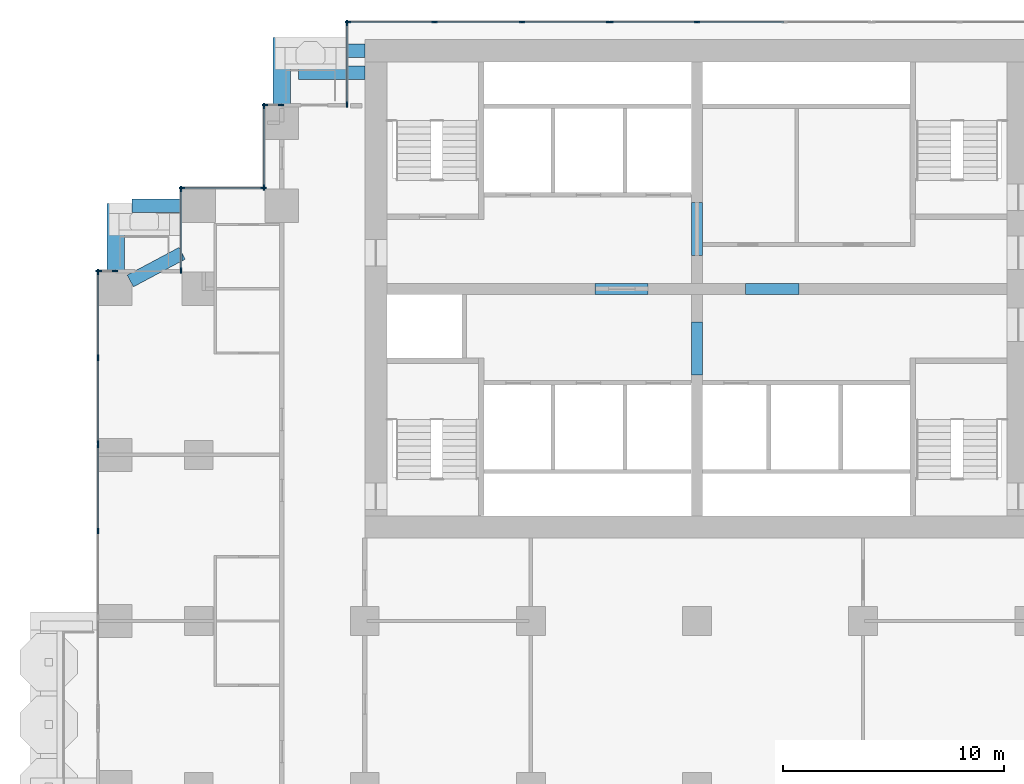
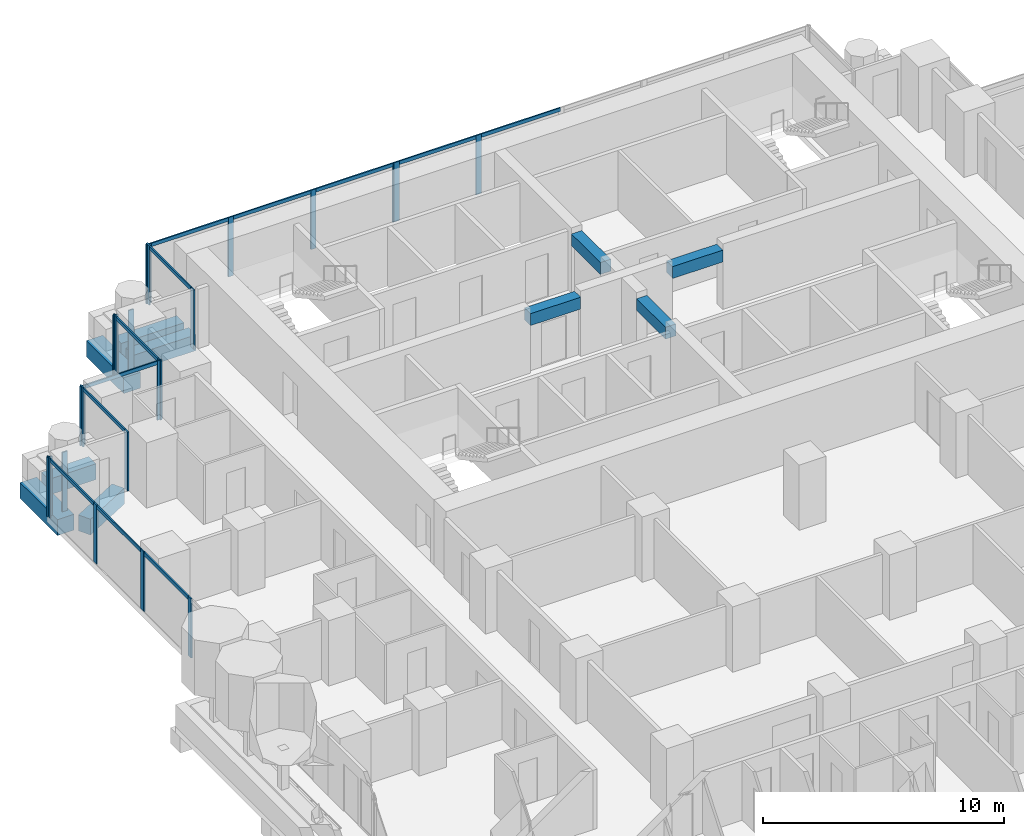
# One storey, part 5 of 20: 35 members, 10 beams, 10 elements without a shape of their own.
"""IFC4 building model written with IfcOpenShell, lengths in metres."""

from ifc_helpers import new_model, si_unit, direction, frame, origin, origin_2d, place, context, subcontext, project, spatial, rectangle, extrude, material, material_profile, profile_set, type_object, element, aggregate, save


model = new_model("IFC4")

# Units and contexts
model_context = context("Model", 3, precision=1e-05, world=origin(), true_north=direction((0.0, 1.0)))
body_context = subcontext(model_context, "Body", "Model", "MODEL_VIEW")
ifc_project = project(units=[si_unit("LENGTHUNIT", "METRE"), si_unit("AREAUNIT", "SQUARE_METRE"), si_unit("VOLUMEUNIT", "CUBIC_METRE"), si_unit("PLANEANGLEUNIT", "RADIAN"), si_unit("MASSUNIT", "GRAM", prefix="KILO")], contexts=[model_context])

# Site, building, storey
site_placement = place(None, origin())
site = spatial("IfcSite", under=ifc_project, at=site_placement, CompositionType="ELEMENT")
building_placement = place(site_placement, origin())
building = spatial("IfcBuilding", under=site, at=building_placement, Name="Pilkhan Gate Tower", CompositionType="ELEMENT")
storey_placement = place(building_placement, frame((0.0, 0.0, 92.300048828125)))
storey = spatial("IfcBuildingStorey", under=building, at=storey_placement, Name="L22", CompositionType="ELEMENT", Elevation=92.300048828125)

# Beams
ifc_material_1 = material(Name="Concrete C50/60", Category="concrete")
ifc_material_profile_1 = material_profile(ifc_material_1, rectangle(XDim=0.60009765625, YDim=0.800048828125, at=origin_2d()), Name="RC 600x800")
ifc_profile_set_1 = profile_set([ifc_material_profile_1], Name="Concrete C50/60")
beam_type_1 = type_object("IfcBeamType", Name="Cantilever beam CB1 RC 600x800 C50/60", PredefinedType="BEAM", material=ifc_profile_set_1)
for number, where, z_axis, x_axis, name in (
    (1, (60.0, 93.25, -0.699951171875), (-1.0, 0.0, 0.0), (0.0, -1.0, 0.0), "Balcony beam NW.2 L22"),
    (2, (60.0, 92.25, -0.699951171875), (-1.0, 0.0, 0.0), (0.0, -1.0, 0.0), "Balcony beam NW.3 L22"),
):
    element("IfcBeam", number, at=place(storey_placement, frame(where, z_axis=z_axis, x_axis=x_axis)), inside=storey, type_object=beam_type_1, Name=name, PredefinedType="BEAM", context=body_context, shape_type="SweptSolid", body=[
        extrude(rectangle(XDim=0.60009765625, YDim=0.800048828125, at=origin_2d()), origin(), (0.0, 0.0, 1.0), 3.0),
    ])
beam_1_placement = place(storey_placement, frame((51.75, 86.25, -0.699951171875), z_axis=(-1.0, 0.0, 0.0), x_axis=(0.0, -1.0, 0.0)))
element("IfcBeam", 3, at=beam_1_placement, inside=storey, type_object=beam_type_1, Name="Balcony beam NW2.2 L22", PredefinedType="BEAM", context=body_context, shape_type="SweptSolid", body=[
    extrude(rectangle(XDim=0.60009765625, YDim=0.800048828125, at=origin_2d()), origin(), (0.0, 0.0, 1.0), 2.25),
])
beam_2_placement = place(storey_placement, frame((49.411865234375, 82.85302734375, -0.699951171875), z_axis=(0.882342739565, 0.470607362817, 0.0), x_axis=(-0.470607362817, 0.882342739565, 0.0)))
element("IfcBeam", 4, at=beam_2_placement, inside=storey, type_object=beam_type_1, Name="Balcony beam NW2.3 L22", PredefinedType="BEAM", context=body_context, shape_type="SweptSolid", body=[
    extrude(rectangle(XDim=0.60009765625, YDim=0.800048828125, at=origin_2d()), origin(), (0.0, 0.0, 1.0), 2.64990234375),
])
ifc_material_profile_2 = material_profile(ifc_material_1, rectangle(XDim=0.800048828125, YDim=0.800048828125, at=origin_2d()), Name="RC 800x800")
ifc_profile_set_2 = profile_set([ifc_material_profile_2], Name="Concrete C50/60")
beam_type_2 = type_object("IfcBeamType", Name="Cantilever beam CB2 RC 800x800 C50/60", PredefinedType="BEAM", material=ifc_profile_set_2)
for number, where, z_axis, x_axis, name in (
    (5, (56.25, 90.75, -0.699951171875), (0.0, 1.0, 0.0), (-1.0, 0.0, 0.0), "Balcony beam NW.1 L22"),
    (6, (48.75, 83.25, -0.699951171875), (0.0, 1.0, 0.0), (-1.0, 0.0, 0.0), "Balcony beam NW2.1 L22"),
):
    element("IfcBeam", number, at=place(storey_placement, frame(where, z_axis=z_axis, x_axis=x_axis)), inside=storey, type_object=beam_type_2, Name=name, PredefinedType="BEAM", context=body_context, shape_type="SweptSolid", body=[
        extrude(rectangle(XDim=0.800048828125, YDim=0.800048828125, at=origin_2d()), origin(), (0.0, 0.0, 1.0), 3.10009765625),
    ])
ifc_material_2 = material(Name="Concrete C70/85", Category="concrete")
ifc_material_profile_3 = material_profile(ifc_material_2, rectangle(XDim=0.5, YDim=0.60009765625, at=origin_2d()), Name="RC 500x600")
ifc_profile_set_3 = profile_set([ifc_material_profile_3], Name="Concrete C70/85")
beam_type_3 = type_object("IfcBeamType", Name="Coupling beam CB60 RC 500x600 C70/85", PredefinedType="LINTEL", material=ifc_profile_set_3)
for number, where, z_axis, x_axis, name in (
    (7, (70.39990234375, 82.5, 2.699951171875), (1.0, 0.0, 0.0), (0.0, 1.0, 0.0), "Coupling beam 1 L22"),
    (8, (77.199951171875, 82.5, 2.699951171875), (1.0, 0.0, 0.0), (0.0, 1.0, 0.0), "Coupling beam 2 L22"),
):
    element("IfcBeam", number, at=place(storey_placement, frame(where, z_axis=z_axis, x_axis=x_axis)), inside=storey, type_object=beam_type_3, Name=name, PredefinedType="LINTEL", context=body_context, shape_type="SweptSolid", body=[
        extrude(rectangle(XDim=0.5, YDim=0.60009765625, at=origin_2d()), origin(), (0.0, 0.0, 1.0), 2.400146484375),
    ])
for number, where, z_axis, x_axis, name in (
    (9, (75.0, 78.60009765625, 2.699951171875), (0.0, 1.0, 0.0), (-1.0, 0.0, 0.0), "Coupling beam 3 L22"),
    (10, (75.0, 84.0, 2.699951171875), (0.0, 1.0, 0.0), (-1.0, 0.0, 0.0), "Coupling beam 4 L22"),
):
    element("IfcBeam", number, at=place(storey_placement, frame(where, z_axis=z_axis, x_axis=x_axis)), inside=storey, type_object=beam_type_3, Name=name, PredefinedType="LINTEL", context=body_context, shape_type="SweptSolid", body=[
        extrude(rectangle(XDim=0.5, YDim=0.60009765625, at=origin_2d()), origin(), (0.0, 0.0, 1.0), 2.39990234375),
    ])

# Curtain wall, members
ifc_material_3 = material(Name="Pale anodised aluminium, clear low-iron double glazing", Category="aluminium")
curtain_wall_type = type_object("IfcCurtainWallType", Name="Hotel unitised curtain wall CW-H", PredefinedType="USERDEFINED", material=ifc_material_3)
curtain_wall_1_placement = place(storey_placement, origin())
curtain_wall_1 = element("IfcCurtainWall", 11, at=curtain_wall_1_placement, inside=storey, type_object=curtain_wall_type, Name="Hotel unitised curtain wall CW-H L22 N", ObjectType="UNITISED CURTAIN WALL", PredefinedType="USERDEFINED")
ifc_material_4 = material(Name="Pale anodised aluminium", Category="aluminium")
ifc_material_profile_4 = material_profile(ifc_material_4, rectangle(XDim=0.06494140625, YDim=0.25, at=origin_2d()), Name="Mullion 250x65")
ifc_profile_set_4 = profile_set([ifc_material_profile_4], Name="Pale anodised aluminium")
member_type_1 = type_object("IfcMemberType", Name="Mullion CW-H 250x65", PredefinedType="MULLION", material=ifc_profile_set_4)
member_1_placement = place(storey_placement, frame((59.237548828125, 94.544921875, 0.0), z_axis=(0.0, 0.0, 1.0), x_axis=(0.0, 1.0, 0.0)))
member_1 = element("IfcMember", 12, at=member_1_placement, type_object=member_type_1, Name="CW-H mullion 1", PredefinedType="MULLION", context=body_context, shape_type="SweptSolid", body=[
    extrude(rectangle(XDim=0.06494140625, YDim=0.25, at=origin_2d()), origin(), (0.0, 0.0, 1.0), 3.0),
])
member_2_placement = place(storey_placement, frame((63.15380859375, 94.544921875, 0.0), z_axis=(0.0, 0.0, 1.0), x_axis=(0.0, 1.0, 0.0)))
member_2 = element("IfcMember", 13, at=member_2_placement, type_object=member_type_1, Name="CW-H mullion 2", PredefinedType="MULLION", context=body_context, shape_type="SweptSolid", body=[
    extrude(rectangle(XDim=0.06494140625, YDim=0.25, at=origin_2d()), origin(), (0.0, 0.0, 1.0), 3.0),
])
member_3_placement = place(storey_placement, frame((67.1025390625, 94.544921875, 0.0), z_axis=(0.0, 0.0, 1.0), x_axis=(0.0, 1.0, 0.0)))
member_3 = element("IfcMember", 14, at=member_3_placement, type_object=member_type_1, Name="CW-H mullion 3", PredefinedType="MULLION", context=body_context, shape_type="SweptSolid", body=[
    extrude(rectangle(XDim=0.06494140625, YDim=0.25, at=origin_2d()), origin(), (0.0, 0.0, 1.0), 3.0),
])
member_4_placement = place(storey_placement, frame((71.018798828125, 94.544921875, 0.0), z_axis=(0.0, 0.0, 1.0), x_axis=(0.0, 1.0, 0.0)))
member_4 = element("IfcMember", 15, at=member_4_placement, type_object=member_type_1, Name="CW-H mullion 4", PredefinedType="MULLION", context=body_context, shape_type="SweptSolid", body=[
    extrude(rectangle(XDim=0.06494140625, YDim=0.25, at=origin_2d()), origin(), (0.0, 0.0, 1.0), 3.0),
])

curtain_wall_2_placement = place(storey_placement, origin())
curtain_wall_2 = element("IfcCurtainWall", 16, at=curtain_wall_2_placement, inside=storey, type_object=curtain_wall_type, Name="Hotel unitised curtain wall CW-H L22 N", ObjectType="UNITISED CURTAIN WALL", PredefinedType="USERDEFINED")
member_5_placement = place(storey_placement, frame((71.083740234375, 94.544921875, 0.0), z_axis=(0.0, 0.0, 1.0), x_axis=(0.0, 1.0, 0.0)))
member_5 = element("IfcMember", 17, at=member_5_placement, type_object=member_type_1, Name="CW-H mullion 1", PredefinedType="MULLION", context=body_context, shape_type="SweptSolid", body=[
    extrude(rectangle(XDim=0.06494140625, YDim=0.25, at=origin_2d()), origin(), (0.0, 0.0, 1.0), 3.0),
])
member_6_placement = place(storey_placement, frame((75.0, 94.544921875, 0.0), z_axis=(0.0, 0.0, 1.0), x_axis=(0.0, 1.0, 0.0)))
member_6 = element("IfcMember", 18, at=member_6_placement, type_object=member_type_1, Name="CW-H mullion 2", PredefinedType="MULLION", context=body_context, shape_type="SweptSolid", body=[
    extrude(rectangle(XDim=0.06494140625, YDim=0.25, at=origin_2d()), origin(), (0.0, 0.0, 1.0), 3.0),
])

curtain_wall_3_placement = place(storey_placement, origin())
curtain_wall_3 = element("IfcCurtainWall", 19, at=curtain_wall_3_placement, inside=storey, type_object=curtain_wall_type, Name="Hotel unitised curtain wall CW-H L22 W", ObjectType="UNITISED CURTAIN WALL", PredefinedType="USERDEFINED")
member_7_placement = place(storey_placement, frame((59.205078125, 90.827392578125, 0.0), z_axis=(0.0, 0.0, 1.0), x_axis=(-1.0, 0.0, 0.0)))
member_7 = element("IfcMember", 20, at=member_7_placement, type_object=member_type_1, Name="CW-H mullion 1", PredefinedType="MULLION", context=body_context, shape_type="SweptSolid", body=[
    extrude(rectangle(XDim=0.06494140625, YDim=0.25, at=origin_2d()), origin(), (0.0, 0.0, 1.0), 3.0),
])
member_8_placement = place(storey_placement, frame((59.205078125, 94.512451171875, 0.0), z_axis=(0.0, 0.0, 1.0), x_axis=(-1.0, 0.0, 0.0)))
member_8 = element("IfcMember", 21, at=member_8_placement, type_object=member_type_1, Name="CW-H mullion 2", PredefinedType="MULLION", context=body_context, shape_type="SweptSolid", body=[
    extrude(rectangle(XDim=0.06494140625, YDim=0.25, at=origin_2d()), origin(), (0.0, 0.0, 1.0), 3.0),
])

curtain_wall_4_placement = place(storey_placement, origin())
curtain_wall_4 = element("IfcCurtainWall", 22, at=curtain_wall_4_placement, inside=storey, type_object=curtain_wall_type, Name="Hotel unitised curtain wall CW-H L22 N", ObjectType="UNITISED CURTAIN WALL", PredefinedType="USERDEFINED")
member_9_placement = place(storey_placement, frame((55.487548828125, 90.794921875, 0.0), z_axis=(0.0, 0.0, 1.0), x_axis=(0.0, 1.0, 0.0)))
member_9 = element("IfcMember", 23, at=member_9_placement, type_object=member_type_1, Name="CW-H mullion 1", PredefinedType="MULLION", context=body_context, shape_type="SweptSolid", body=[
    extrude(rectangle(XDim=0.06494140625, YDim=0.25, at=origin_2d()), origin(), (0.0, 0.0, 1.0), 3.0),
])
member_10_placement = place(storey_placement, frame((56.217529296875, 90.794921875, 0.0), z_axis=(0.0, 0.0, 1.0), x_axis=(0.0, 1.0, 0.0)))
member_10 = element("IfcMember", 24, at=member_10_placement, type_object=member_type_1, Name="CW-H mullion 2", PredefinedType="MULLION", context=body_context, shape_type="SweptSolid", body=[
    extrude(rectangle(XDim=0.06494140625, YDim=0.25, at=origin_2d()), origin(), (0.0, 0.0, 1.0), 3.0),
])
aggregate(curtain_wall_4, [member_9, member_10])

curtain_wall_5_placement = place(storey_placement, origin())
curtain_wall_5 = element("IfcCurtainWall", 25, at=curtain_wall_5_placement, inside=storey, type_object=curtain_wall_type, Name="Hotel unitised curtain wall CW-H L22 W", ObjectType="UNITISED CURTAIN WALL", PredefinedType="USERDEFINED")
member_11_placement = place(storey_placement, frame((55.455078125, 87.077392578125, 0.0), z_axis=(0.0, 0.0, 1.0), x_axis=(-1.0, 0.0, 0.0)))
member_11 = element("IfcMember", 26, at=member_11_placement, type_object=member_type_1, Name="CW-H mullion 1", PredefinedType="MULLION", context=body_context, shape_type="SweptSolid", body=[
    extrude(rectangle(XDim=0.06494140625, YDim=0.25, at=origin_2d()), origin(), (0.0, 0.0, 1.0), 3.0),
])
member_12_placement = place(storey_placement, frame((55.455078125, 90.762451171875, 0.0), z_axis=(0.0, 0.0, 1.0), x_axis=(-1.0, 0.0, 0.0)))
member_12 = element("IfcMember", 27, at=member_12_placement, type_object=member_type_1, Name="CW-H mullion 2", PredefinedType="MULLION", context=body_context, shape_type="SweptSolid", body=[
    extrude(rectangle(XDim=0.06494140625, YDim=0.25, at=origin_2d()), origin(), (0.0, 0.0, 1.0), 3.0),
])

curtain_wall_6_placement = place(storey_placement, origin())
curtain_wall_6 = element("IfcCurtainWall", 28, at=curtain_wall_6_placement, inside=storey, type_object=curtain_wall_type, Name="Hotel unitised curtain wall CW-H L22 N", ObjectType="UNITISED CURTAIN WALL", PredefinedType="USERDEFINED")
member_13_placement = place(storey_placement, frame((51.737548828125, 87.044921875, 0.0), z_axis=(0.0, 0.0, 1.0), x_axis=(0.0, 1.0, 0.0)))
member_13 = element("IfcMember", 29, at=member_13_placement, type_object=member_type_1, Name="CW-H mullion 1", PredefinedType="MULLION", context=body_context, shape_type="SweptSolid", body=[
    extrude(rectangle(XDim=0.06494140625, YDim=0.25, at=origin_2d()), origin(), (0.0, 0.0, 1.0), 3.0),
])
member_14_placement = place(storey_placement, frame((55.422607421875, 87.044921875, 0.0), z_axis=(0.0, 0.0, 1.0), x_axis=(0.0, 1.0, 0.0)))
member_14 = element("IfcMember", 30, at=member_14_placement, type_object=member_type_1, Name="CW-H mullion 2", PredefinedType="MULLION", context=body_context, shape_type="SweptSolid", body=[
    extrude(rectangle(XDim=0.06494140625, YDim=0.25, at=origin_2d()), origin(), (0.0, 0.0, 1.0), 3.0),
])

curtain_wall_7_placement = place(storey_placement, origin())
curtain_wall_7 = element("IfcCurtainWall", 31, at=curtain_wall_7_placement, inside=storey, type_object=curtain_wall_type, Name="Hotel unitised curtain wall CW-H L22 W", ObjectType="UNITISED CURTAIN WALL", PredefinedType="USERDEFINED")
member_15_placement = place(storey_placement, frame((51.705078125, 83.327392578125, 0.0), z_axis=(0.0, 0.0, 1.0), x_axis=(-1.0, 0.0, 0.0)))
member_15 = element("IfcMember", 32, at=member_15_placement, type_object=member_type_1, Name="CW-H mullion 1", PredefinedType="MULLION", context=body_context, shape_type="SweptSolid", body=[
    extrude(rectangle(XDim=0.06494140625, YDim=0.25, at=origin_2d()), origin(), (0.0, 0.0, 1.0), 3.0),
])
member_16_placement = place(storey_placement, frame((51.705078125, 87.012451171875, 0.0), z_axis=(0.0, 0.0, 1.0), x_axis=(-1.0, 0.0, 0.0)))
member_16 = element("IfcMember", 33, at=member_16_placement, type_object=member_type_1, Name="CW-H mullion 2", PredefinedType="MULLION", context=body_context, shape_type="SweptSolid", body=[
    extrude(rectangle(XDim=0.06494140625, YDim=0.25, at=origin_2d()), origin(), (0.0, 0.0, 1.0), 3.0),
])

curtain_wall_8_placement = place(storey_placement, origin())
curtain_wall_8 = element("IfcCurtainWall", 34, at=curtain_wall_8_placement, inside=storey, type_object=curtain_wall_type, Name="Hotel unitised curtain wall CW-H L22 N", ObjectType="UNITISED CURTAIN WALL", PredefinedType="USERDEFINED")
member_17_placement = place(storey_placement, frame((47.987548828125, 83.294921875, 0.0), z_axis=(0.0, 0.0, 1.0), x_axis=(0.0, 1.0, 0.0)))
member_17 = element("IfcMember", 35, at=member_17_placement, type_object=member_type_1, Name="CW-H mullion 1", PredefinedType="MULLION", context=body_context, shape_type="SweptSolid", body=[
    extrude(rectangle(XDim=0.06494140625, YDim=0.25, at=origin_2d()), origin(), (0.0, 0.0, 1.0), 3.0),
])
member_18_placement = place(storey_placement, frame((48.717529296875, 83.294921875, 0.0), z_axis=(0.0, 0.0, 1.0), x_axis=(0.0, 1.0, 0.0)))
member_18 = element("IfcMember", 36, at=member_18_placement, type_object=member_type_1, Name="CW-H mullion 2", PredefinedType="MULLION", context=body_context, shape_type="SweptSolid", body=[
    extrude(rectangle(XDim=0.06494140625, YDim=0.25, at=origin_2d()), origin(), (0.0, 0.0, 1.0), 3.0),
])
aggregate(curtain_wall_8, [member_17, member_18])

curtain_wall_9_placement = place(storey_placement, origin())
curtain_wall_9 = element("IfcCurtainWall", 37, at=curtain_wall_9_placement, inside=storey, type_object=curtain_wall_type, Name="Hotel unitised curtain wall CW-H L22 W", ObjectType="UNITISED CURTAIN WALL", PredefinedType="USERDEFINED")
member_19_placement = place(storey_placement, frame((47.955078125, 71.568115234375, 0.0), z_axis=(0.0, 0.0, 1.0), x_axis=(-1.0, 0.0, 0.0)))
member_19 = element("IfcMember", 38, at=member_19_placement, type_object=member_type_1, Name="CW-H mullion 3", PredefinedType="MULLION", context=body_context, shape_type="SweptSolid", body=[
    extrude(rectangle(XDim=0.06494140625, YDim=0.25, at=origin_2d()), origin(), (0.0, 0.0, 1.0), 3.0),
])
member_20_placement = place(storey_placement, frame((47.955078125, 75.444580078125, 0.0), z_axis=(0.0, 0.0, 1.0), x_axis=(-1.0, 0.0, 0.0)))
member_20 = element("IfcMember", 39, at=member_20_placement, type_object=member_type_1, Name="CW-H mullion 4", PredefinedType="MULLION", context=body_context, shape_type="SweptSolid", body=[
    extrude(rectangle(XDim=0.06494140625, YDim=0.25, at=origin_2d()), origin(), (0.0, 0.0, 1.0), 3.0),
])

curtain_wall_10_placement = place(storey_placement, origin())
curtain_wall_10 = element("IfcCurtainWall", 40, at=curtain_wall_10_placement, inside=storey, type_object=curtain_wall_type, Name="Hotel unitised curtain wall CW-H L22 W", ObjectType="UNITISED CURTAIN WALL", PredefinedType="USERDEFINED")
member_21_placement = place(storey_placement, frame((47.955078125, 75.509521484375, 0.0), z_axis=(0.0, 0.0, 1.0), x_axis=(-1.0, 0.0, 0.0)))
member_21 = element("IfcMember", 41, at=member_21_placement, type_object=member_type_1, Name="CW-H mullion 1", PredefinedType="MULLION", context=body_context, shape_type="SweptSolid", body=[
    extrude(rectangle(XDim=0.06494140625, YDim=0.25, at=origin_2d()), origin(), (0.0, 0.0, 1.0), 3.0),
])
member_22_placement = place(storey_placement, frame((47.955078125, 79.385986328125, 0.0), z_axis=(0.0, 0.0, 1.0), x_axis=(-1.0, 0.0, 0.0)))
member_22 = element("IfcMember", 42, at=member_22_placement, type_object=member_type_1, Name="CW-H mullion 2", PredefinedType="MULLION", context=body_context, shape_type="SweptSolid", body=[
    extrude(rectangle(XDim=0.06494140625, YDim=0.25, at=origin_2d()), origin(), (0.0, 0.0, 1.0), 3.0),
])
member_23_placement = place(storey_placement, frame((47.955078125, 83.262451171875, 0.0), z_axis=(0.0, 0.0, 1.0), x_axis=(-1.0, 0.0, 0.0)))
member_23 = element("IfcMember", 43, at=member_23_placement, type_object=member_type_1, Name="CW-H mullion 3", PredefinedType="MULLION", context=body_context, shape_type="SweptSolid", body=[
    extrude(rectangle(XDim=0.06494140625, YDim=0.25, at=origin_2d()), origin(), (0.0, 0.0, 1.0), 3.0),
])

# Member
ifc_material_profile_5 = material_profile(ifc_material_4, rectangle(XDim=0.06494140625, YDim=0.179931640625, at=origin_2d()), Name="Transom 180x65")
ifc_profile_set_5 = profile_set([ifc_material_profile_5], Name="Pale anodised aluminium")
member_type_2 = type_object("IfcMemberType", Name="Transom CW-H 180x65", PredefinedType="USERDEFINED", material=ifc_profile_set_5)
member_24_placement = place(storey_placement, frame((59.27001953125, 94.544921875, 2.909912109375), z_axis=(1.0, 0.0, 0.0), x_axis=(0.0, 1.0, 0.0)))
member_24 = element("IfcMember", 44, at=member_24_placement, type_object=member_type_2, Name="CW-H transom 1", ObjectType="TRANSOM", PredefinedType="USERDEFINED", context=body_context, shape_type="SweptSolid", body=[
    extrude(rectangle(XDim=0.06494140625, YDim=0.179931640625, at=origin_2d()), origin(), (0.0, 0.0, 1.0), 3.851318359375),
])

member_25_placement = place(storey_placement, frame((63.186279296875, 94.544921875, 2.909912109375), z_axis=(1.0, 0.0, 0.0), x_axis=(0.0, 1.0, 0.0)))
member_25 = element("IfcMember", 45, at=member_25_placement, type_object=member_type_2, Name="CW-H transom 2", ObjectType="TRANSOM", PredefinedType="USERDEFINED", context=body_context, shape_type="SweptSolid", body=[
    extrude(rectangle(XDim=0.06494140625, YDim=0.179931640625, at=origin_2d()), origin(), (0.0, 0.0, 1.0), 3.8837890625),
])

member_26_placement = place(storey_placement, frame((67.135009765625, 94.544921875, 2.909912109375), z_axis=(1.0, 0.0, 0.0), x_axis=(0.0, 1.0, 0.0)))
member_26 = element("IfcMember", 46, at=member_26_placement, type_object=member_type_2, Name="CW-H transom 3", ObjectType="TRANSOM", PredefinedType="USERDEFINED", context=body_context, shape_type="SweptSolid", body=[
    extrude(rectangle(XDim=0.06494140625, YDim=0.179931640625, at=origin_2d()), origin(), (0.0, 0.0, 1.0), 3.851318359375),
])

aggregate(curtain_wall_1, [member_1, member_2, member_3, member_4, member_24, member_25, member_26])

member_27_placement = place(storey_placement, frame((71.1162109375, 94.544921875, 2.909912109375), z_axis=(1.0, 0.0, 0.0), x_axis=(0.0, 1.0, 0.0)))
member_27 = element("IfcMember", 47, at=member_27_placement, type_object=member_type_2, Name="CW-H transom 1", ObjectType="TRANSOM", PredefinedType="USERDEFINED", context=body_context, shape_type="SweptSolid", body=[
    extrude(rectangle(XDim=0.06494140625, YDim=0.179931640625, at=origin_2d()), origin(), (0.0, 0.0, 1.0), 3.851318359375),
])

member_28_placement = place(storey_placement, frame((75.032470703125, 94.544921875, 2.909912109375), z_axis=(1.0, 0.0, 0.0), x_axis=(0.0, 1.0, 0.0)))
member_28 = element("IfcMember", 48, at=member_28_placement, type_object=member_type_2, Name="CW-H transom 2", ObjectType="TRANSOM", PredefinedType="USERDEFINED", context=body_context, shape_type="SweptSolid", body=[
    extrude(rectangle(XDim=0.06494140625, YDim=0.179931640625, at=origin_2d()), origin(), (0.0, 0.0, 1.0), 3.8837890625),
])

aggregate(curtain_wall_2, [member_5, member_6, member_27, member_28])

member_29_placement = place(storey_placement, frame((59.205078125, 90.860107421875, 2.909912109375), z_axis=(0.0, 1.0, 0.0), x_axis=(-1.0, 0.0, 0.0)))
member_29 = element("IfcMember", 49, at=member_29_placement, type_object=member_type_2, Name="CW-H transom 1", ObjectType="TRANSOM", PredefinedType="USERDEFINED", context=body_context, shape_type="SweptSolid", body=[
    extrude(rectangle(XDim=0.06494140625, YDim=0.179931640625, at=origin_2d()), origin(), (0.0, 0.0, 1.0), 3.619873046875),
])

aggregate(curtain_wall_3, [member_7, member_8, member_29])

member_30_placement = place(storey_placement, frame((55.455078125, 87.110107421875, 2.909912109375), z_axis=(0.0, 1.0, 0.0), x_axis=(-1.0, 0.0, 0.0)))
member_30 = element("IfcMember", 50, at=member_30_placement, type_object=member_type_2, Name="CW-H transom 1", ObjectType="TRANSOM", PredefinedType="USERDEFINED", context=body_context, shape_type="SweptSolid", body=[
    extrude(rectangle(XDim=0.06494140625, YDim=0.179931640625, at=origin_2d()), origin(), (0.0, 0.0, 1.0), 3.619873046875),
])

aggregate(curtain_wall_5, [member_11, member_12, member_30])

member_31_placement = place(storey_placement, frame((51.77001953125, 87.044921875, 2.909912109375), z_axis=(1.0, 0.0, 0.0), x_axis=(0.0, 1.0, 0.0)))
member_31 = element("IfcMember", 51, at=member_31_placement, type_object=member_type_2, Name="CW-H transom 1", ObjectType="TRANSOM", PredefinedType="USERDEFINED", context=body_context, shape_type="SweptSolid", body=[
    extrude(rectangle(XDim=0.06494140625, YDim=0.179931640625, at=origin_2d()), origin(), (0.0, 0.0, 1.0), 3.619873046875),
])

aggregate(curtain_wall_6, [member_13, member_14, member_31])

member_32_placement = place(storey_placement, frame((51.705078125, 83.360107421875, 2.909912109375), z_axis=(0.0, 1.0, 0.0), x_axis=(-1.0, 0.0, 0.0)))
member_32 = element("IfcMember", 52, at=member_32_placement, type_object=member_type_2, Name="CW-H transom 1", ObjectType="TRANSOM", PredefinedType="USERDEFINED", context=body_context, shape_type="SweptSolid", body=[
    extrude(rectangle(XDim=0.06494140625, YDim=0.179931640625, at=origin_2d()), origin(), (0.0, 0.0, 1.0), 3.619873046875),
])

aggregate(curtain_wall_7, [member_15, member_16, member_32])

member_33_placement = place(storey_placement, frame((47.955078125, 71.6005859375, 2.909912109375), z_axis=(0.0, 1.0, 0.0), x_axis=(-1.0, 0.0, 0.0)))
member_33 = element("IfcMember", 53, at=member_33_placement, type_object=member_type_2, Name="CW-H transom 3", ObjectType="TRANSOM", PredefinedType="USERDEFINED", context=body_context, shape_type="SweptSolid", body=[
    extrude(rectangle(XDim=0.06494140625, YDim=0.179931640625, at=origin_2d()), origin(), (0.0, 0.0, 1.0), 3.8115234375),
])

aggregate(curtain_wall_9, [member_19, member_20, member_33])

member_34_placement = place(storey_placement, frame((47.955078125, 75.5419921875, 2.909912109375), z_axis=(0.0, 1.0, 0.0), x_axis=(-1.0, 0.0, 0.0)))
member_34 = element("IfcMember", 54, at=member_34_placement, type_object=member_type_2, Name="CW-H transom 1", ObjectType="TRANSOM", PredefinedType="USERDEFINED", context=body_context, shape_type="SweptSolid", body=[
    extrude(rectangle(XDim=0.06494140625, YDim=0.179931640625, at=origin_2d()), origin(), (0.0, 0.0, 1.0), 3.8115234375),
])

member_35_placement = place(storey_placement, frame((47.955078125, 79.41845703125, 2.909912109375), z_axis=(0.0, 1.0, 0.0), x_axis=(-1.0, 0.0, 0.0)))
member_35 = element("IfcMember", 55, at=member_35_placement, type_object=member_type_2, Name="CW-H transom 2", ObjectType="TRANSOM", PredefinedType="USERDEFINED", context=body_context, shape_type="SweptSolid", body=[
    extrude(rectangle(XDim=0.06494140625, YDim=0.179931640625, at=origin_2d()), origin(), (0.0, 0.0, 1.0), 3.8115234375),
])

aggregate(curtain_wall_10, [member_21, member_22, member_23, member_34, member_35])

save(model, "model.ifc")
